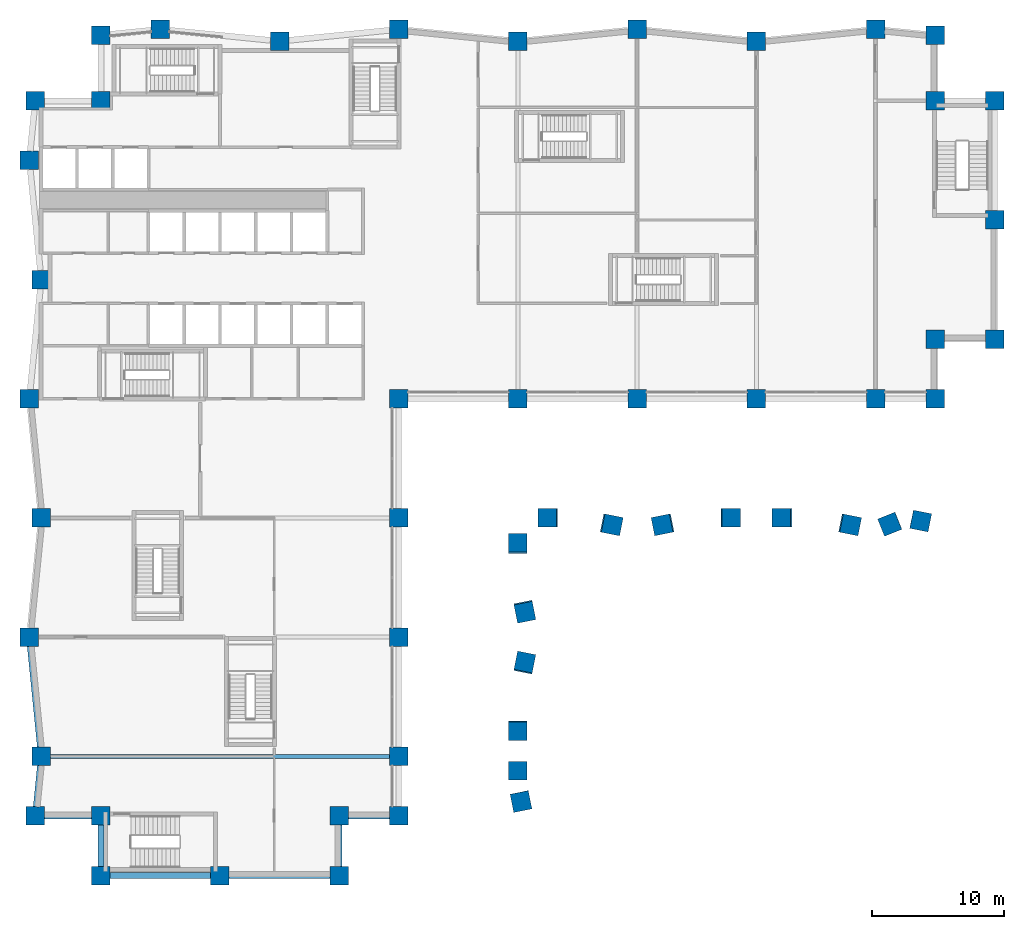
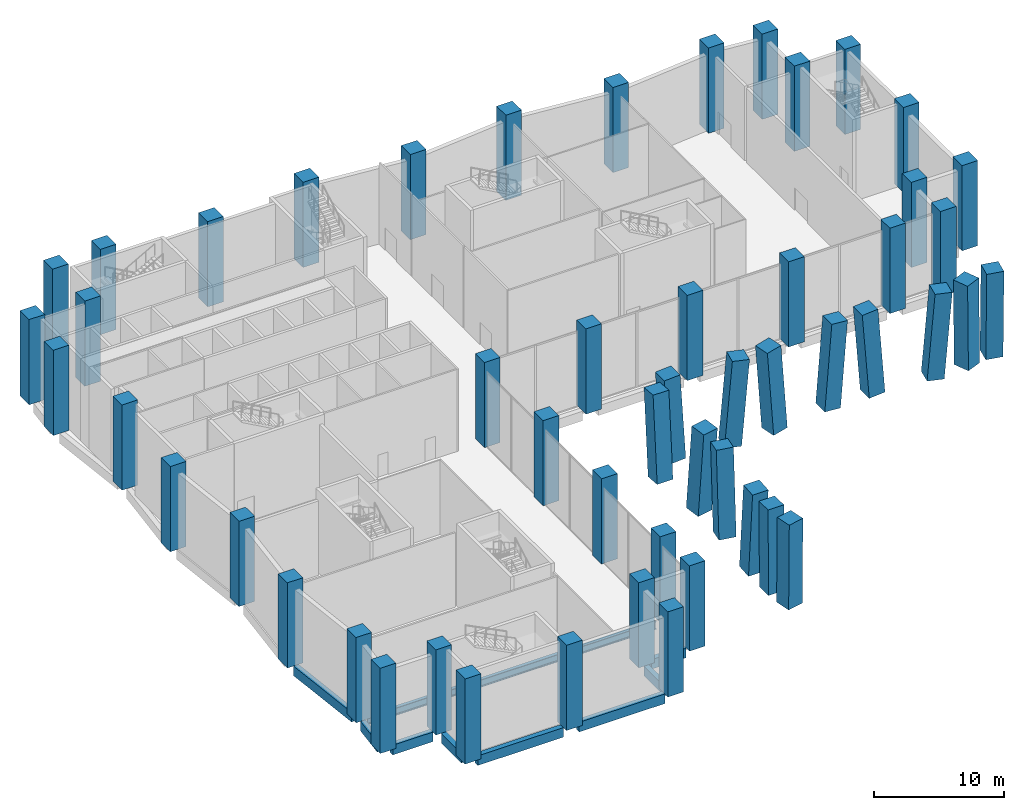
# One storey, part 1 of 19: 52 columns, 9 beams.
"""IFC4 building model written with IfcOpenShell, lengths in metres."""

from ifc_helpers import new_model, si_unit, direction, frame, origin, origin_2d, place, context, subcontext, project, spatial, rectangle, i_section, extrude, material, material_profile, profile_set, type_object, element, save


model = new_model("IFC4")

# Units and contexts
model_context = context("Model", 3, precision=1e-05, world=origin(), true_north=direction((0.0, 1.0)))
body_context = subcontext(model_context, "Body", "Model", "MODEL_VIEW")
ifc_project = project(units=[si_unit("LENGTHUNIT", "METRE"), si_unit("AREAUNIT", "SQUARE_METRE"), si_unit("VOLUMEUNIT", "CUBIC_METRE"), si_unit("PLANEANGLEUNIT", "RADIAN"), si_unit("MASSUNIT", "GRAM", prefix="KILO")], contexts=[model_context])

# Site, building, storey
site_placement = place(None, origin())
site = spatial("IfcSite", under=ifc_project, at=site_placement, CompositionType="ELEMENT")
building_placement = place(site_placement, origin())
building = spatial("IfcBuilding", under=site, at=building_placement, Name="Brondeck Convention Tower", CompositionType="ELEMENT")
storey_placement = place(building_placement, frame((0.0, 0.0, 19.5)))
storey = spatial("IfcBuildingStorey", under=building, at=storey_placement, Name="L03", CompositionType="ELEMENT", Elevation=19.5)

# Columns
ifc_material_1 = material(Name="Concrete C80/95", Category="concrete")
ifc_material_profile_1 = material_profile(ifc_material_1, rectangle(XDim=1.39990234375, YDim=1.39990234375, at=origin_2d()), Name="Mega column 1400x1400 Concrete C80/95")
ifc_profile_set_1 = profile_set([ifc_material_profile_1], Name="Concrete C80/95")
column_type_1 = type_object("IfcColumnType", Name="Mega column 1400x1400 Concrete C80/95", PredefinedType="COLUMN", material=ifc_profile_set_1)
for number, where, z_axis, x_axis, name in (
    (1, (4.5, 0.0, 0.0), (0.0, 0.0, 1.0), (1.0, 0.0, 0.0), "STR-COL-L03-BC-B-S-01"),
    (2, (13.5, 0.0, 0.0), (0.0, 0.0, 1.0), (1.0, 0.0, 0.0), "STR-COL-L03-BC-B-S-02"),
    (3, (22.5, 0.0, 0.0), (0.0, 0.0, 1.0), (1.0, 0.0, 0.0), "STR-COL-L03-BC-B-S-03"),
    (4, (27.0, 4.5, 0.0), (0.0, 0.0, 1.0), (1.0, 0.0, 0.0), "STR-COL-L03-BC-B-E-07"),
    (5, (27.0, 9.0, 0.0), (0.0, 0.0, 1.0), (1.0, 0.0, 0.0), "STR-COL-L03-BC-B-E-06"),
    (6, (27.0, 18.0, 0.0), (0.0, 0.0, 1.0), (1.0, 0.0, 0.0), "STR-COL-L03-BC-B-E-04"),
    (7, (27.0, 27.0, 0.0), (0.0, 0.0, 1.0), (1.0, 0.0, 0.0), "STR-COL-L03-BC-B-E-02"),
    (8, (27.0, 36.0, 0.0), (0.0, 0.0, 1.0), (1.0, 0.0, 0.0), "STR-COL-L03-BC-B-E-00"),
    (9, (36.0, 36.0, 0.0), (0.0, 0.0, 1.0), (1.0, 0.0, 0.0), "STR-COL-L03-BC-A-S-02"),
    (10, (45.0, 36.0, 0.0), (0.0, 0.0, 1.0), (1.0, 0.0, 0.0), "STR-COL-L03-BC-A-S-04"),
    (11, (54.0, 36.0, 0.0), (0.0, 0.0, 1.0), (1.0, 0.0, 0.0), "STR-COL-L03-BC-A-S-06"),
    (12, (63.0, 36.0, 0.0), (0.0, 0.0, 1.0), (1.0, 0.0, 0.0), "STR-COL-L03-BC-A-S-08"),
    (13, (67.5, 36.0, 0.0), (0.0, 0.0, 1.0), (1.0, 0.0, 0.0), "STR-COL-L03-BC-A-S-09"),
    (14, (72.0, 40.5, 0.0), (0.0, 0.0, 1.0), (1.0, 0.0, 0.0), "STR-COL-L03-BC-A-E-01"),
    (15, (72.0, 49.5, 0.0), (0.0, 0.0, 1.0), (1.0, 0.0, 0.0), "STR-COL-L03-BC-A-E-02"),
    (16, (72.0, 58.5, 0.0), (0.0, 0.0, 1.0), (1.0, 0.0, 0.0), "STR-COL-L03-BC-A-E-03"),
    (17, (67.5, 63.449951171875, 0.0), (0.0, 0.0, 1.0), (1.0, 0.0, 0.0), "STR-COL-L03-BC-A-N-15"),
    (18, (63.0, 63.89990234375, 0.0), (0.0, 0.0, 1.0), (1.0, 0.0, 0.0), "STR-COL-L03-BC-A-N-14"),
    (19, (54.0, 63.0, 0.0), (0.0, 0.0, 1.0), (1.0, 0.0, 0.0), "STR-COL-L03-BC-A-N-12"),
    (20, (45.0, 63.89990234375, 0.0), (0.0, 0.0, 1.0), (1.0, 0.0, 0.0), "STR-COL-L03-BC-A-N-10"),
    (21, (36.0, 63.0, 0.0), (0.0, 0.0, 1.0), (1.0, 0.0, 0.0), "STR-COL-L03-BC-A-N-08"),
    (22, (27.0, 63.89990234375, 0.0), (0.0, 0.0, 1.0), (1.0, 0.0, 0.0), "STR-COL-L03-BC-A-N-06"),
    (23, (18.0, 63.0, 0.0), (0.0, 0.0, 1.0), (1.0, 0.0, 0.0), "STR-COL-L03-BC-A-N-04"),
    (24, (9.0, 63.89990234375, 0.0), (0.0, 0.0, 1.0), (1.0, 0.0, 0.0), "STR-COL-L03-BC-A-N-02"),
    (25, (4.5, 63.449951171875, 0.0), (0.0, 0.0, 1.0), (1.0, 0.0, 0.0), "STR-COL-L03-BC-A-N-01"),
    (26, (-0.449951171875, 58.5, 0.0), (0.0, 0.0, 1.0), (1.0, 0.0, 0.0), "STR-COL-L03-BC-B-W-01"),
    (27, (-0.89990234375, 54.0, 0.0), (0.0, 0.0, 1.0), (1.0, 0.0, 0.0), "STR-COL-L03-BC-B-W-02"),
    (28, (0.0, 45.0, 0.0), (0.0, 0.0, 1.0), (1.0, 0.0, 0.0), "STR-COL-L03-BC-B-W-04"),
    (29, (-0.89990234375, 36.0, 0.0), (0.0, 0.0, 1.0), (1.0, 0.0, 0.0), "STR-COL-L03-BC-B-W-06"),
    (30, (0.0, 27.0, 0.0), (0.0, 0.0, 1.0), (1.0, 0.0, 0.0), "STR-COL-L03-BC-B-W-08"),
    (31, (-0.89990234375, 18.0, 0.0), (0.0, 0.0, 1.0), (1.0, 0.0, 0.0), "STR-COL-L03-BC-B-W-10"),
    (32, (0.0, 9.0, 0.0), (0.0, 0.0, 1.0), (1.0, 0.0, 0.0), "STR-COL-L03-BC-B-W-12"),
    (33, (-0.449951171875, 4.5, 0.0), (0.0, 0.0, 1.0), (1.0, 0.0, 0.0), "STR-COL-L03-BC-B-W-13"),
    (34, (4.5, 4.5, 0.0), (0.0, 0.0, 1.0), (1.0, 0.0, 0.0), "STR-COL-L03-NC-SWB"),
    (35, (22.5, 4.5, 0.0), (0.0, 0.0, 1.0), (1.0, 0.0, 0.0), "STR-COL-L03-NC-SEB"),
    (36, (67.5, 40.5, 0.0), (0.0, 0.0, 1.0), (1.0, 0.0, 0.0), "STR-COL-L03-NC-SEA"),
    (37, (67.5, 58.5, 0.0), (0.0, 0.0, 1.0), (1.0, 0.0, 0.0), "STR-COL-L03-NC-NEA"),
    (38, (4.5, 58.5, 0.0), (0.0, 0.0, 1.0), (1.0, 0.0, 0.0), "STR-COL-L03-NC-NW"),
):
    element("IfcColumn", number, at=place(storey_placement, frame(where, z_axis=z_axis, x_axis=x_axis)), inside=storey, type_object=column_type_1, Name=name, PredefinedType="COLUMN", context=body_context, shape_type="SweptSolid", body=[
        extrude(rectangle(XDim=1.39990234375, YDim=1.39990234375, at=origin_2d()), origin(), (0.0, 0.0, 1.0), 8.0),
    ])
ifc_material_profile_2 = material_profile(ifc_material_1, rectangle(XDim=1.39990234375, YDim=1.39990234375, at=origin_2d()), Name="Raking V column 1400x1400 Concrete C80/95")
ifc_profile_set_2 = profile_set([ifc_material_profile_2], Name="Concrete C80/95")
column_type_2 = type_object("IfcColumnType", Name="Raking V column 1400x1400 Concrete C80/95", PredefinedType="COLUMN", material=ifc_profile_set_2)
column_1_placement = place(storey_placement, frame((38.28125, 27.0, 0.0), z_axis=(-0.062378286155, 0.0, 0.998052578483), x_axis=(0.0, -1.0, 0.0)))
element("IfcColumn", 39, at=column_1_placement, inside=storey, type_object=column_type_2, Name="STR-COL-L03-V-A-S-1-W", PredefinedType="COLUMN", context=body_context, shape_type="SweptSolid", body=[
    extrude(rectangle(XDim=1.39990234375, YDim=1.39990234375, at=origin_2d()), origin(), (0.0, 0.0, 1.0), 8.015625),
])
for number, where, z_axis, x_axis, name in (
    (40, (43.027587890625, 26.494384765625, 0.0), (0.079087211024, -0.015817442205, 0.99674220417), (0.196116135138, 0.980580675691, 0.0), "STR-COL-L03-V-A-S-1-E"),
    (41, (46.972412109375, 26.494384765625, 0.0), (-0.079087211024, -0.015817442205, 0.99674220417), (0.196116135138, -0.980580675691, 0.0), "STR-COL-L03-V-A-S-2-W"),
):
    element("IfcColumn", number, at=place(storey_placement, frame(where, z_axis=z_axis, x_axis=x_axis)), inside=storey, type_object=column_type_2, Name=name, PredefinedType="COLUMN", context=body_context, shape_type="SweptSolid", body=[
        extrude(rectangle(XDim=1.39990234375, YDim=1.39990234375, at=origin_2d()), origin(), (0.0, 0.0, 1.0), 8.026123046875),
    ])
for number, where, z_axis, x_axis, name in (
    (42, (52.0234375, 27.0, 0.0), (0.077887667293, 0.0, 0.996962141349), (0.0, 1.0, 0.0), "STR-COL-L03-V-A-S-2-E"),
    (43, (55.9765625, 27.0, 0.0), (-0.077887667293, 0.0, 0.996962141349), (0.0, -1.0, 0.0), "STR-COL-L03-V-A-S-3-W"),
):
    element("IfcColumn", number, at=place(storey_placement, frame(where, z_axis=z_axis, x_axis=x_axis)), inside=storey, type_object=column_type_2, Name=name, PredefinedType="COLUMN", context=body_context, shape_type="SweptSolid", body=[
        extrude(rectangle(XDim=1.39990234375, YDim=1.39990234375, at=origin_2d()), origin(), (0.0, 0.0, 1.0), 8.0244140625),
    ])
column_2_placement = place(storey_placement, frame((61.027587890625, 26.494384765625, 0.0), z_axis=(0.079087211024, -0.015817442205, 0.99674220417), x_axis=(0.196116135138, 0.980580675691, 0.0)))
element("IfcColumn", 44, at=column_2_placement, inside=storey, type_object=column_type_2, Name="STR-COL-L03-V-A-S-3-E", PredefinedType="COLUMN", context=body_context, shape_type="SweptSolid", body=[
    extrude(rectangle(XDim=1.39990234375, YDim=1.39990234375, at=origin_2d()), origin(), (0.0, 0.0, 1.0), 8.026123046875),
])
column_3_placement = place(storey_placement, frame((64.08203125, 26.53271484375, 0.0), z_axis=(-0.012297505565, -0.004912899246, 0.999912313544), x_axis=(0.370993348128, -0.928635523575, 0.0)))
element("IfcColumn", 45, at=column_3_placement, inside=storey, type_object=column_type_2, Name="STR-COL-L03-V-A-S-4-W", PredefinedType="COLUMN", context=body_context, shape_type="SweptSolid", body=[
    extrude(rectangle(XDim=1.39990234375, YDim=1.39990234375, at=origin_2d()), origin(), (0.0, 0.0, 1.0), 8.000732421875),
])
column_4_placement = place(storey_placement, frame((66.406494140625, 26.768798828125, 0.0), z_axis=(0.009032819457, -0.001830976917, 0.999957526946), x_axis=(0.198662427795, 0.980067977123, 0.0)))
element("IfcColumn", 46, at=column_4_placement, inside=storey, type_object=column_type_2, Name="STR-COL-L03-V-A-S-4-E", PredefinedType="COLUMN", context=body_context, shape_type="SweptSolid", body=[
    extrude(rectangle(XDim=1.39990234375, YDim=1.39990234375, at=origin_2d()), origin(), (0.0, 0.0, 1.0), 8.000244140625),
])
column_5_placement = place(storey_placement, frame((36.0, 25.0234375, 0.0), z_axis=(0.0, 0.077887667293, 0.996962141349), x_axis=(-1.0, 0.0, 0.0)))
element("IfcColumn", 47, at=column_5_placement, inside=storey, type_object=column_type_2, Name="STR-COL-L03-V-B-E-1-W", PredefinedType="COLUMN", context=body_context, shape_type="SweptSolid", body=[
    extrude(rectangle(XDim=1.39990234375, YDim=1.39990234375, at=origin_2d()), origin(), (0.0, 0.0, 1.0), 8.0244140625),
])
for number, where, z_axis, x_axis, name in (
    (48, (36.505615234375, 19.972412109375, 0.0), (0.015817442205, -0.079087211024, 0.99674220417), (0.980580675691, 0.196116135138, 0.0), "STR-COL-L03-V-B-E-1-E"),
    (49, (36.505615234375, 16.027587890625, 0.0), (0.015817442205, 0.079087211024, 0.99674220417), (-0.980580675691, 0.196116135138, 0.0), "STR-COL-L03-V-B-E-2-W"),
):
    element("IfcColumn", number, at=place(storey_placement, frame(where, z_axis=z_axis, x_axis=x_axis)), inside=storey, type_object=column_type_2, Name=name, PredefinedType="COLUMN", context=body_context, shape_type="SweptSolid", body=[
        extrude(rectangle(XDim=1.39990234375, YDim=1.39990234375, at=origin_2d()), origin(), (0.0, 0.0, 1.0), 8.026123046875),
    ])
column_6_placement = place(storey_placement, frame((36.0, 10.9765625, 0.0), z_axis=(0.0, -0.077887667293, 0.996962141349), x_axis=(1.0, 0.0, 0.0)))
element("IfcColumn", 50, at=column_6_placement, inside=storey, type_object=column_type_2, Name="STR-COL-L03-V-B-E-2-E", PredefinedType="COLUMN", context=body_context, shape_type="SweptSolid", body=[
    extrude(rectangle(XDim=1.39990234375, YDim=1.39990234375, at=origin_2d()), origin(), (0.0, 0.0, 1.0), 8.0244140625),
])
for number, where, z_axis, x_axis, name in (
    (51, (36.0, 7.90234375, 0.0), (0.0, 0.007812261592, 0.999969483819), (-1.0, 0.0, 0.0), "STR-COL-L03-V-B-E-3-W"),
    (52, (36.231201171875, 5.593505859375, 0.0), (0.001830976917, -0.009032819457, 0.999957526946), (0.980067977123, 0.198662427795, 0.0), "STR-COL-L03-V-B-E-3-E"),
):
    element("IfcColumn", number, at=place(storey_placement, frame(where, z_axis=z_axis, x_axis=x_axis)), inside=storey, type_object=column_type_2, Name=name, PredefinedType="COLUMN", context=body_context, shape_type="SweptSolid", body=[
        extrude(rectangle(XDim=1.39990234375, YDim=1.39990234375, at=origin_2d()), origin(), (0.0, 0.0, 1.0), 8.000244140625),
    ])

# Beams
ifc_material_profile_3 = material_profile(ifc_material_1, rectangle(XDim=0.449951171875, YDim=0.89990234375, at=origin_2d()), Name="Edge beam 450x900 Concrete C80/95")
ifc_profile_set_3 = profile_set([ifc_material_profile_3], Name="Concrete C80/95")
beam_type_1 = type_object("IfcBeamType", Name="Edge beam 450x900 Concrete C80/95", PredefinedType="BEAM", material=ifc_profile_set_3)
for number, where, z_axis, x_axis, name in (
    (53, (5.199951171875, 0.0, -0.449951171875), (1.0, 0.0, 0.0), (0.0, 1.0, 0.0), "STR-SP-L03-001"),
    (54, (14.199951171875, 0.0, -0.449951171875), (1.0, 0.0, 0.0), (0.0, 1.0, 0.0), "STR-SP-L03-002"),
):
    element("IfcBeam", number, at=place(storey_placement, frame(where, z_axis=z_axis, x_axis=x_axis)), inside=storey, type_object=beam_type_1, Name=name, PredefinedType="BEAM", context=body_context, shape_type="SweptSolid", body=[
        extrude(rectangle(XDim=0.449951171875, YDim=0.89990234375, at=origin_2d()), origin(), (0.0, 0.0, 1.0), 7.60009765625),
    ])
for number, where, z_axis, x_axis, name in (
    (55, (22.5, 0.699951171875, -0.449951171875), (0.0, 1.0, 0.0), (-1.0, 0.0, 0.0), "STR-SP-L03-003"),
    (56, (23.199951171875, 4.5, -0.449951171875), (1.0, 0.0, 0.0), (0.0, 1.0, 0.0), "STR-SP-L03-004"),
):
    element("IfcBeam", number, at=place(storey_placement, frame(where, z_axis=z_axis, x_axis=x_axis)), inside=storey, type_object=beam_type_1, Name=name, PredefinedType="BEAM", context=body_context, shape_type="SweptSolid", body=[
        extrude(rectangle(XDim=0.449951171875, YDim=0.89990234375, at=origin_2d()), origin(), (0.0, 0.0, 1.0), 3.10009765625),
    ])
beam_1_placement = place(storey_placement, frame((-0.830078125, 17.300048828125, -0.449951171875), z_axis=(0.099503719021, -0.99503719021, 0.0), x_axis=(0.99503719021, 0.099503719021, 0.0)))
element("IfcBeam", 57, at=beam_1_placement, inside=storey, type_object=beam_type_1, Name="STR-SP-L03-035", PredefinedType="BEAM", context=body_context, shape_type="SweptSolid", body=[
    extrude(rectangle(XDim=0.449951171875, YDim=0.89990234375, at=origin_2d()), origin(), (0.0, 0.0, 1.0), 7.637939453125),
])
beam_2_placement = place(storey_placement, frame((-0.070068359375, 8.300048828125, -0.449951171875), z_axis=(-0.099441649747, -0.995043395182, 0.0), x_axis=(0.995043395182, -0.099441649747, 0.0)))
element("IfcBeam", 58, at=beam_2_placement, inside=storey, type_object=beam_type_1, Name="STR-SP-L03-036", PredefinedType="BEAM", context=body_context, shape_type="SweptSolid", body=[
    extrude(rectangle(XDim=0.449951171875, YDim=0.89990234375, at=origin_2d()), origin(), (0.0, 0.0, 1.0), 3.115478515625),
])
beam_3_placement = place(storey_placement, frame((0.25, 4.5, -0.449951171875), z_axis=(1.0, 0.0, 0.0), x_axis=(0.0, 1.0, 0.0)))
element("IfcBeam", 59, at=beam_3_placement, inside=storey, type_object=beam_type_1, Name="STR-SP-L03-037", PredefinedType="BEAM", context=body_context, shape_type="SweptSolid", body=[
    extrude(rectangle(XDim=0.449951171875, YDim=0.89990234375, at=origin_2d()), origin(), (0.0, 0.0, 1.0), 3.550048828125),
])
beam_4_placement = place(storey_placement, frame((4.5, 3.800048828125, -0.449951171875), z_axis=(0.0, -1.0, 0.0), x_axis=(1.0, 0.0, 0.0)))
element("IfcBeam", 60, at=beam_4_placement, inside=storey, type_object=beam_type_1, Name="STR-SP-L03-038", PredefinedType="BEAM", context=body_context, shape_type="SweptSolid", body=[
    extrude(rectangle(XDim=0.449951171875, YDim=0.89990234375, at=origin_2d()), origin(), (0.0, 0.0, 1.0), 3.10009765625),
])
ifc_material_2 = material(Name="Steel S355", Category="steel")
ifc_material_profile_4 = material_profile(ifc_material_2, i_section(OverallWidth=0.300048828125, OverallDepth=0.699951171875, WebThickness=0.01708984375, FlangeThickness=0.031982421875, FilletRadius=0.027099609375, at=origin_2d()), Name="HEB 700")
ifc_profile_set_4 = profile_set([ifc_material_profile_4], Name="Steel S355")
beam_type_2 = type_object("IfcBeamType", Name="Girder HEB 700", PredefinedType="BEAM", material=ifc_profile_set_4)
beam_5_placement = place(storey_placement, frame((0.699951171875, 9.0, -0.64990234375), z_axis=(1.0, 0.0, 0.0), x_axis=(0.0, 1.0, 0.0)))
element("IfcBeam", 61, at=beam_5_placement, inside=storey, type_object=beam_type_2, Name="STR-GR-L03-007", PredefinedType="BEAM", context=body_context, shape_type="SweptSolid", body=[
    extrude(i_section(OverallWidth=0.300048828125, OverallDepth=0.699951171875, WebThickness=0.01708984375, FlangeThickness=0.031982421875, FilletRadius=0.027099609375, at=origin_2d()), origin(), (0.0, 0.0, 1.0), 25.60009765625),
])

save(model, "model.ifc")
